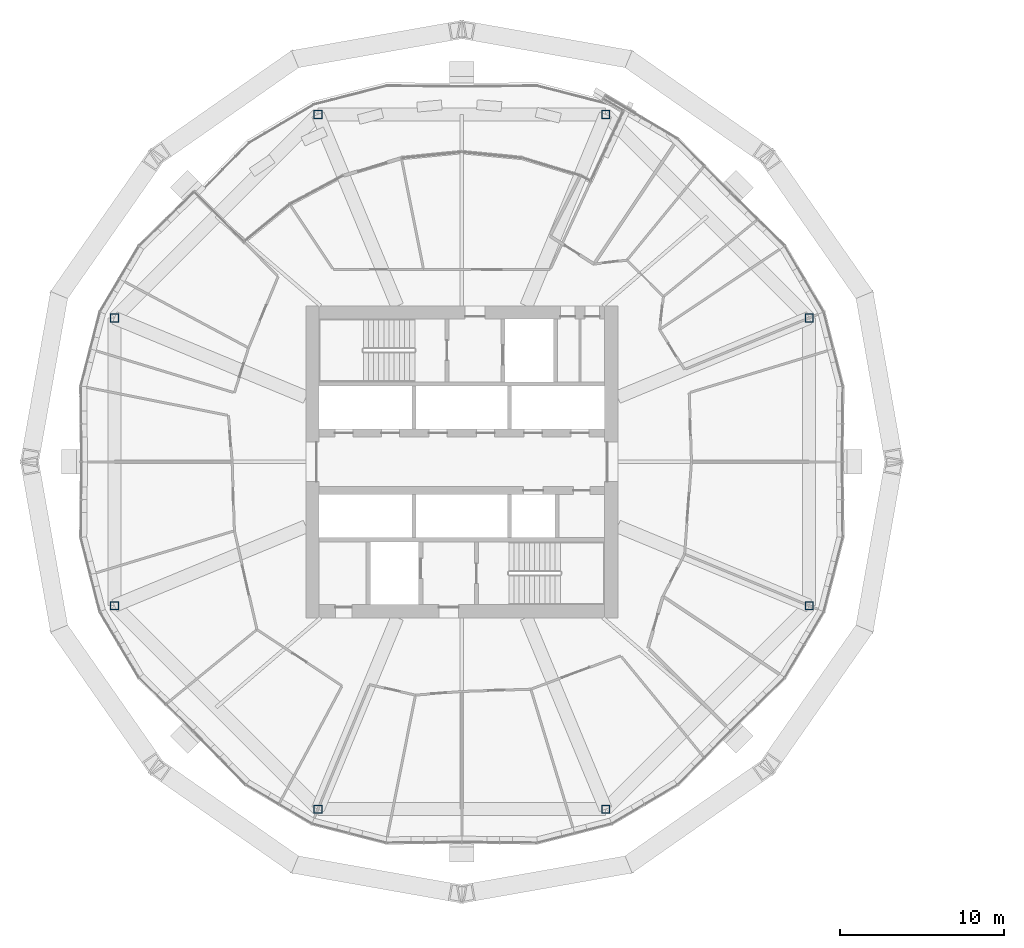
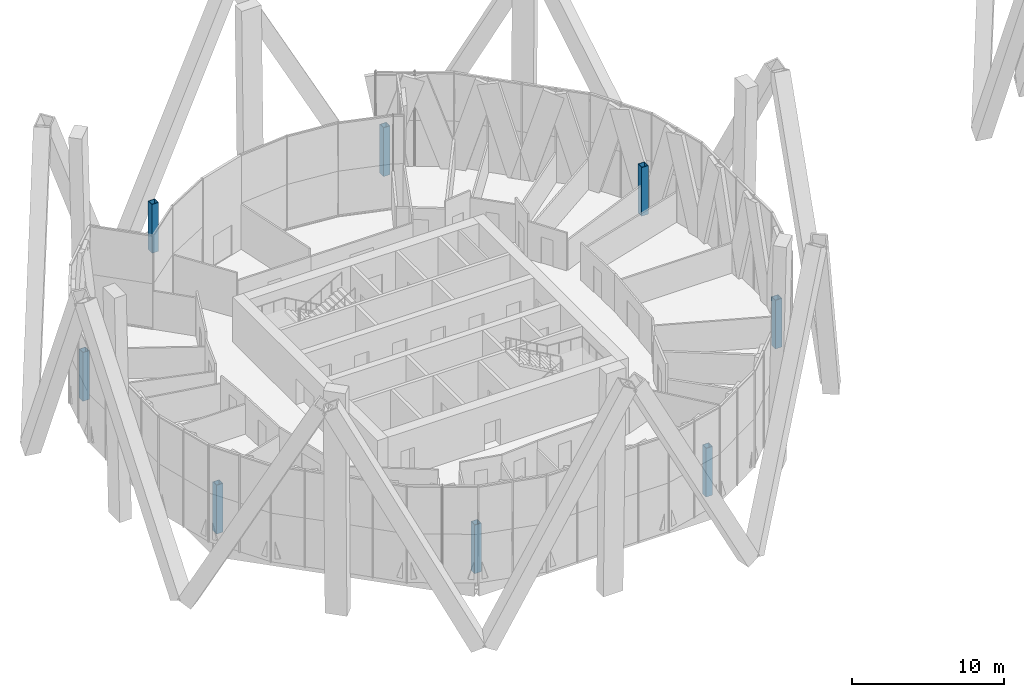
# One storey, part 1 of 31: 8 columns.
"""IFC4 building model written with IfcOpenShell, lengths in metres."""

from ifc_helpers import new_model, si_unit, direction, frame, origin, origin_2d, place, context, subcontext, project, spatial, hollow_rectangle, extrude, material, material_profile, profile_set, type_object, element, save


model = new_model("IFC4")

# Units and contexts
model_context = context("Model", 3, precision=1e-05, world=origin(), true_north=direction((0.0, 1.0)))
body_context = subcontext(model_context, "Body", "Model", "MODEL_VIEW")
ifc_project = project(units=[si_unit("LENGTHUNIT", "METRE"), si_unit("AREAUNIT", "SQUARE_METRE"), si_unit("VOLUMEUNIT", "CUBIC_METRE"), si_unit("PLANEANGLEUNIT", "RADIAN"), si_unit("MASSUNIT", "GRAM", prefix="KILO")], contexts=[model_context])

# Site, building, storey
site_placement = place(None, origin())
site = spatial("IfcSite", under=ifc_project, at=site_placement, CompositionType="ELEMENT")
building_placement = place(site_placement, origin())
building = spatial("IfcBuilding", under=site, at=building_placement, Name="Ogive Gate Towers", CompositionType="ELEMENT")
storey_placement = place(building_placement, frame((0.0, 0.0, 55.800048828125)))
storey = spatial("IfcBuildingStorey", under=building, at=storey_placement, Name="L12", CompositionType="ELEMENT", Elevation=55.800048828125)

# Columns
ifc_material = material(Name="Steel SM460", Category="steel")
ifc_material_profile = material_profile(ifc_material, hollow_rectangle(XDim=0.5, YDim=0.5, WallThickness=0.030029296875, at=origin_2d()), Name="BX 500x500x30")
ifc_profile_set = profile_set([ifc_material_profile], Name="Steel SM460")
column_type = type_object("IfcColumnType", Name="Perimeter post BX 500x500x30", PredefinedType="COLUMN", material=ifc_profile_set)
for number, where, z_axis, x_axis, name in (
    (1, (-14.84326171875, 8.763427734375, 0.0), (0.0, 0.0, 1.0), (1.0, 0.0, 0.0), "T1/L12/SCL001"),
    (2, (-27.236572265625, 21.15673828125, 0.0), (0.0, 0.0, 1.0), (1.0, 0.0, 0.0), "T1/L12/SCL002"),
    (3, (-44.763427734375, 21.15673828125, 0.0), (0.0, 0.0, 1.0), (1.0, 0.0, 0.0), "T1/L12/SCL003"),
    (4, (-57.15673828125, 8.763427734375, 0.0), (0.0, 0.0, 1.0), (1.0, 0.0, 0.0), "T1/L12/SCL004"),
    (5, (-57.15673828125, -8.763427734375, 0.0), (0.0, 0.0, 1.0), (1.0, 0.0, 0.0), "T1/L12/SCL005"),
    (6, (-44.763427734375, -21.15673828125, 0.0), (0.0, 0.0, 1.0), (1.0, 0.0, 0.0), "T1/L12/SCL006"),
    (7, (-27.236572265625, -21.15673828125, 0.0), (0.0, 0.0, 1.0), (1.0, 0.0, 0.0), "T1/L12/SCL007"),
    (8, (-14.84326171875, -8.763427734375, 0.0), (0.0, 0.0, 1.0), (1.0, 0.0, 0.0), "T1/L12/SCL008"),
):
    element("IfcColumn", number, at=place(storey_placement, frame(where, z_axis=z_axis, x_axis=x_axis)), inside=storey, type_object=column_type, Name=name, PredefinedType="COLUMN", context=body_context, shape_type="SweptSolid", body=[
        extrude(hollow_rectangle(XDim=0.5, YDim=0.5, WallThickness=0.030029296875, at=origin_2d()), origin(), (0.0, 0.0, 1.0), 3.89990234375),
    ])

save(model, "model.ifc")
